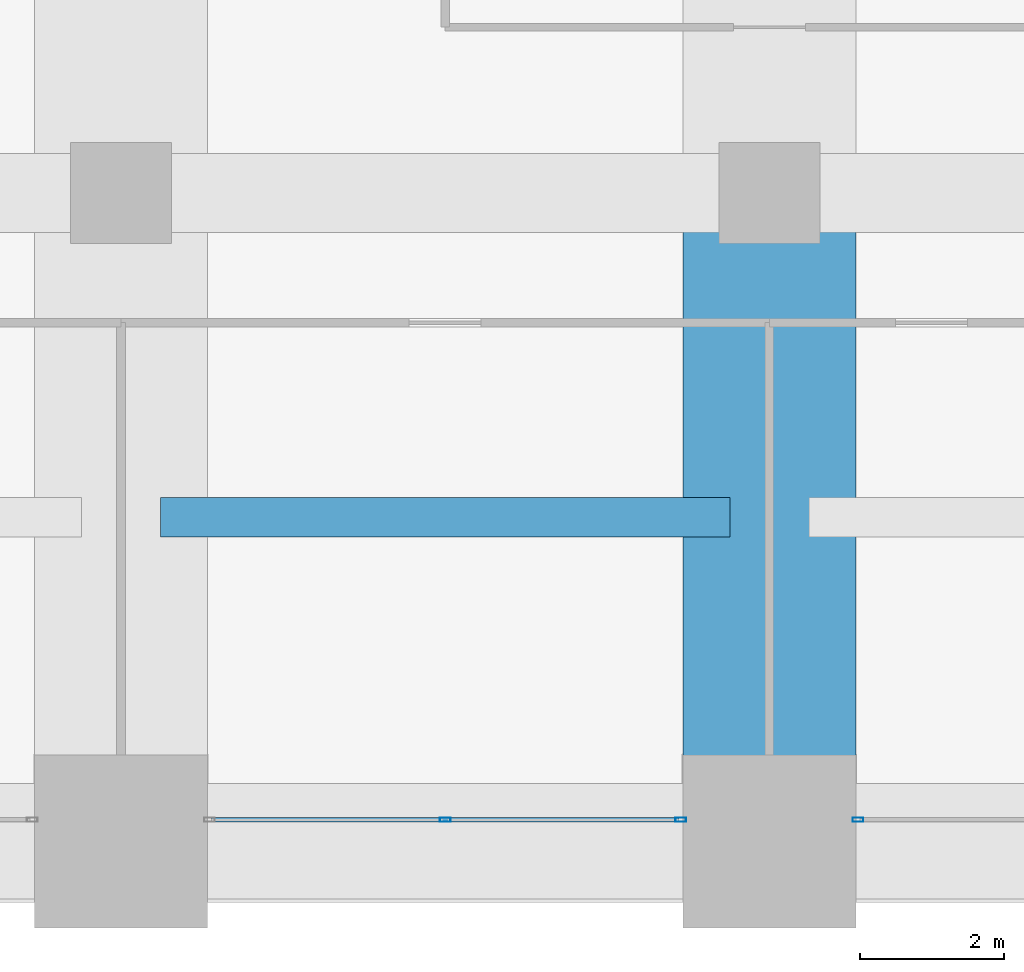
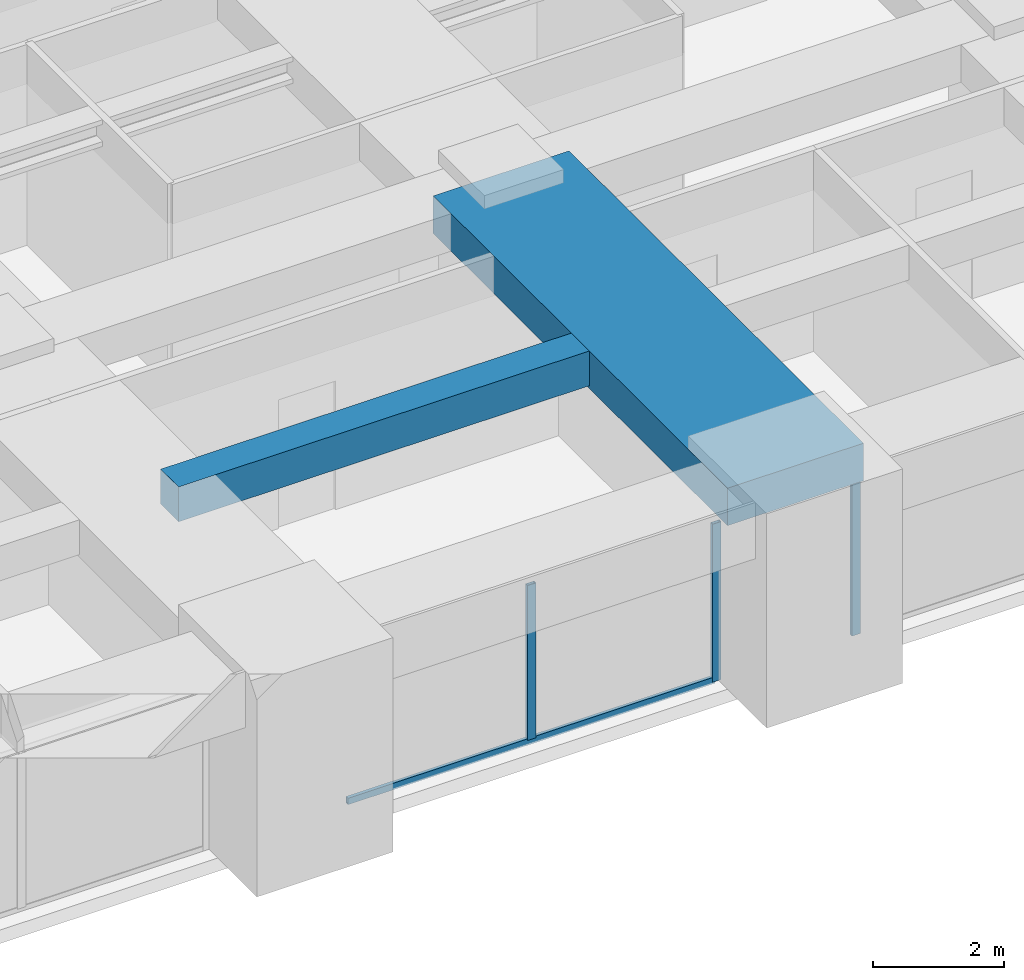
# One storey, part 13 of 35: 4 members, 2 beams, 2 elements without a shape of their own.
"""IFC4 building model written with IfcOpenShell, lengths in metres."""

from ifc_helpers import new_model, si_unit, direction, frame, origin, origin_2d, place, context, subcontext, project, spatial, rectangle, hollow_rectangle, extrude, material, material_profile, profile_set, type_object, element, aggregate, save


model = new_model("IFC4")

# Units and contexts
model_context = context("Model", 3, precision=1e-05, world=origin(), true_north=direction((0.0, 1.0)))
body_context = subcontext(model_context, "Body", "Model", "MODEL_VIEW")
ifc_project = project(units=[si_unit("LENGTHUNIT", "METRE"), si_unit("AREAUNIT", "SQUARE_METRE"), si_unit("VOLUMEUNIT", "CUBIC_METRE"), si_unit("PLANEANGLEUNIT", "RADIAN"), si_unit("MASSUNIT", "GRAM", prefix="KILO")], contexts=[model_context])

# Site, building, storey
site_placement = place(None, origin())
site = spatial("IfcSite", under=ifc_project, at=site_placement, CompositionType="ELEMENT")
building_placement = place(site_placement, origin())
building = spatial("IfcBuilding", under=site, at=building_placement, Name="Zorevar Civic Tower", CompositionType="ELEMENT")
storey_placement = place(building_placement, frame((0.0, 0.0, 222.199951171875)))
storey = spatial("IfcBuildingStorey", under=building, at=storey_placement, Name="L54", CompositionType="ELEMENT", Elevation=222.199951171875)

# Beams
ifc_material_1 = material(Name="Concrete C50/60", Category="concrete")
ifc_material_profile_1 = material_profile(ifc_material_1, rectangle(XDim=2.39990234375, YDim=0.699951171875, at=origin_2d()), Name="RC 2400x700")
ifc_profile_set_1 = profile_set([ifc_material_profile_1], Name="Concrete C50/60")
beam_type_1 = type_object("IfcBeamType", Name="Beam RC 2400x700", PredefinedType="BEAM", material=ifc_profile_set_1)
beam_1_placement = place(storey_placement, frame((36.0, 0.0, 3.400146484375), z_axis=(0.0, 1.0, 0.0), x_axis=(-1.0, 0.0, 0.0)))
element("IfcBeam", 1, at=beam_1_placement, inside=storey, type_object=beam_type_1, Name="Girder L55", PredefinedType="BEAM", context=body_context, shape_type="SweptSolid", body=[
    extrude(rectangle(XDim=2.39990234375, YDim=0.699951171875, at=origin_2d()), origin(), (0.0, 0.0, 1.0), 9.0),
])
ifc_material_2 = material(Name="Concrete C50/60", Category="concrete")
ifc_material_profile_2 = material_profile(ifc_material_2, rectangle(XDim=0.550048828125, YDim=0.64990234375, at=origin_2d()), Name="RC 550x650")
ifc_profile_set_2 = profile_set([ifc_material_profile_2], Name="Concrete C50/60")
beam_type_2 = type_object("IfcBeamType", Name="Beam RC 550x650", PredefinedType="BEAM", material=ifc_profile_set_2)
beam_2_placement = place(storey_placement, frame((27.550048828125, 4.5, 3.425048828125), z_axis=(1.0, 0.0, 0.0), x_axis=(0.0, 1.0, 0.0)))
element("IfcBeam", 2, at=beam_2_placement, inside=storey, type_object=beam_type_2, Name="Secondary beam L55", PredefinedType="BEAM", context=body_context, shape_type="SweptSolid", body=[
    extrude(rectangle(XDim=0.550048828125, YDim=0.64990234375, at=origin_2d()), origin(), (0.0, 0.0, 1.0), 7.89990234375),
])

# Curtain wall, members
ifc_material_3 = material(Name="Dark grey solar-control glass in black aluminium frame", Category="aluminium")
curtain_wall_type = type_object("IfcCurtainWallType", Name="Curtain wall CW4 high zone", PredefinedType="NOTDEFINED", material=ifc_material_3)
curtain_wall_1_placement = place(storey_placement, origin())
curtain_wall_1 = element("IfcCurtainWall", 3, at=curtain_wall_1_placement, inside=storey, type_object=curtain_wall_type, Name="CW4 L54", PredefinedType="NOTDEFINED")
ifc_material_4 = material(Name="Aluminium, black anodised", Category="aluminium")
ifc_material_profile_3 = material_profile(ifc_material_4, hollow_rectangle(XDim=0.06005859375, YDim=0.14990234375, WallThickness=0.00390625, at=origin_2d()), Name="AL 150x60x4")
ifc_profile_set_3 = profile_set([ifc_material_profile_3], Name="Aluminium, black anodised")
member_type_1 = type_object("IfcMemberType", Name="CW4 mullion AL 150x60x4", PredefinedType="MULLION", material=ifc_profile_set_3)
member_1_placement = place(storey_placement, frame((31.5, 0.300048828125, 0.06005859375), z_axis=(0.0, 0.0, 1.0), x_axis=(0.0, 1.0, 0.0)))
member_1 = element("IfcMember", 4, at=member_1_placement, type_object=member_type_1, Name="CW4 mullion 2", PredefinedType="MULLION", context=body_context, shape_type="SweptSolid", body=[
    extrude(hollow_rectangle(XDim=0.06005859375, YDim=0.14990234375, WallThickness=0.00390625, at=origin_2d()), origin(), (0.0, 0.0, 1.0), 2.889892578125),
])
member_2_placement = place(storey_placement, frame((34.77001953125, 0.300048828125, 0.0), z_axis=(0.0, 0.0, 1.0), x_axis=(0.0, 1.0, 0.0)))
member_2 = element("IfcMember", 5, at=member_2_placement, type_object=member_type_1, Name="CW4 mullion 3", PredefinedType="MULLION", context=body_context, shape_type="SweptSolid", body=[
    extrude(hollow_rectangle(XDim=0.06005859375, YDim=0.14990234375, WallThickness=0.00390625, at=origin_2d()), origin(), (0.0, 0.0, 1.0), 2.949951171875),
])

# Curtain wall, member
curtain_wall_2_placement = place(storey_placement, origin())
curtain_wall_2 = element("IfcCurtainWall", 6, at=curtain_wall_2_placement, inside=storey, type_object=curtain_wall_type, Name="CW4 L54", PredefinedType="NOTDEFINED")
member_3_placement = place(storey_placement, frame((37.22998046875, 0.300048828125, 0.0), z_axis=(0.0, 0.0, 1.0), x_axis=(0.0, 1.0, 0.0)))
member_3 = element("IfcMember", 7, at=member_3_placement, type_object=member_type_1, Name="CW4 mullion 1", PredefinedType="MULLION", context=body_context, shape_type="SweptSolid", body=[
    extrude(hollow_rectangle(XDim=0.06005859375, YDim=0.14990234375, WallThickness=0.00390625, at=origin_2d()), origin(), (0.0, 0.0, 1.0), 2.949951171875),
])
aggregate(curtain_wall_2, [member_3])

# Member
ifc_material_5 = material(Name="Aluminium, black anodised", Category="aluminium")
ifc_material_profile_4 = material_profile(ifc_material_5, hollow_rectangle(XDim=0.06005859375, YDim=0.1201171875, WallThickness=0.0029296875, at=origin_2d()), Name="AL 120x60x3")
ifc_profile_set_4 = profile_set([ifc_material_profile_4], Name="Aluminium, black anodised")
member_type_2 = type_object("IfcMemberType", Name="CW4 transom AL 120x60x3", PredefinedType="USERDEFINED", material=ifc_profile_set_4)
member_4_placement = place(storey_placement, frame((28.260009765625, 0.300048828125, 0.030029296875), z_axis=(1.0, 0.0, 0.0), x_axis=(0.0, 1.0, 0.0)))
member_4 = element("IfcMember", 8, at=member_4_placement, type_object=member_type_2, Name="CW4 sill transom", ObjectType="TRANSOM", PredefinedType="USERDEFINED", context=body_context, shape_type="SweptSolid", body=[
    extrude(hollow_rectangle(XDim=0.06005859375, YDim=0.1201171875, WallThickness=0.0029296875, at=origin_2d()), origin(), (0.0, 0.0, 1.0), 6.47998046875),
])

aggregate(curtain_wall_1, [member_1, member_2, member_4])

save(model, "model.ifc")
